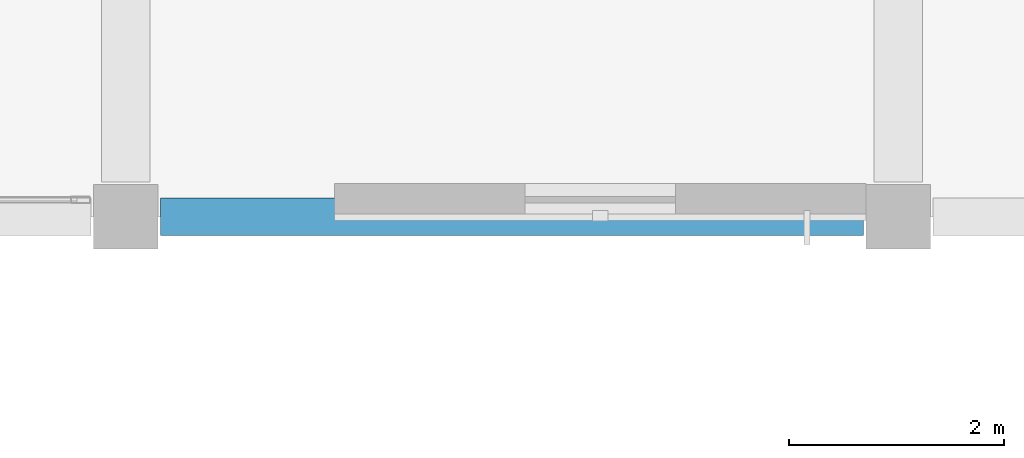
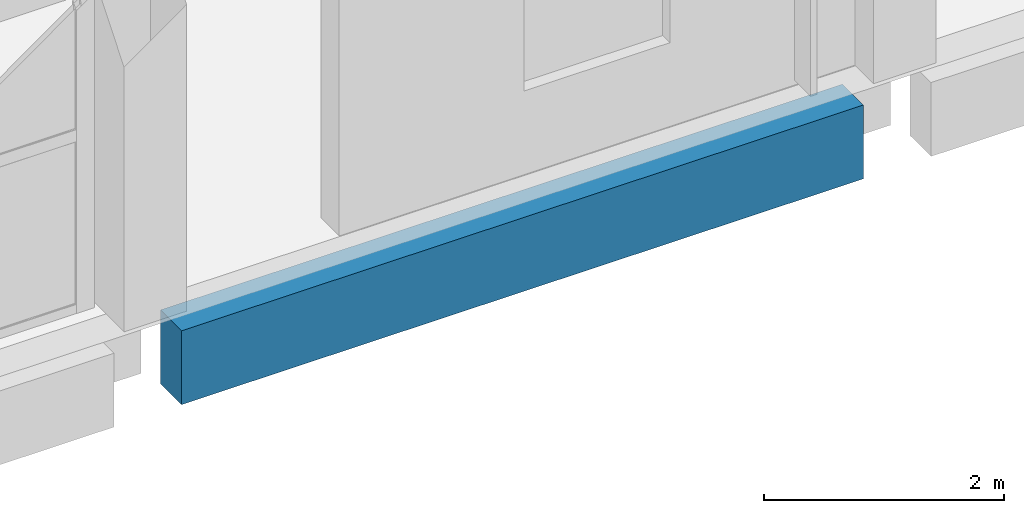
# One storey, part 55 of 123: 1 beam.
"""IFC4 building model written with IfcOpenShell, lengths in metres."""

import ifcopenshell
import ifcopenshell.guid

model = None  # the IFC model being written
_history = None  # IfcOwnerHistory: only IFC2X3 demands one
_inside = {}  # id of a spatial element -> (the spatial element, [elements in it])
_under = {}  # id of a project, library or spatial element -> (it, [spatial elements below it])
_declared = {}  # id of a project -> (the project, [libraries it declares])
_typed = {}  # id of a type object -> (the type object, [elements of that type])
_made_of = {}  # id of a material, layer set ... -> (it, [elements and type objects made of it])


def new_model(schema):
    """Start an empty IFC model of exactly this schema.

    Asked for "IFC4X3", IfcOpenShell would pick the latest addendum, in which some entities
    have other attributes; the version numbers below select the first issue.
    IFC2X3 requires an IfcOwnerHistory on every rooted entity: one is made here for all.
    """
    global model, _history
    if schema == "IFC4X3":
        model = ifcopenshell.file(schema_version=(4, 3, 0, 0))
    else:
        model = ifcopenshell.file(schema=schema)
    _inside.clear()
    _under.clear()
    _declared.clear()
    _typed.clear()
    _made_of.clear()
    _history = None
    if model.schema == "IFC2X3":
        org = make("IfcOrganization", Name="unknown")
        user = make(
            "IfcPersonAndOrganization",
            ThePerson=make("IfcPerson", FamilyName="unknown"),
            TheOrganization=org,
        )
        app = make(
            "IfcApplication",
            ApplicationDeveloper=org,
            Version="unknown",
            ApplicationFullName="unknown",
            ApplicationIdentifier="unknown",
        )
        _history = make(
            "IfcOwnerHistory",
            OwningUser=user,
            OwningApplication=app,
            ChangeAction="ADDED",
            CreationDate=0,
        )
    return model


def make(cls, **values):
    """One entity of the class cls with the attributes given. An attribute that is None is left unset."""
    return model.create_entity(
        cls, **{name: value for name, value in values.items() if value is not None}
    )


def rooted(cls, **values):
    """An entity with a GlobalId (a new one), such as an element, a storey or a relation."""
    return make(cls, GlobalId=ifcopenshell.guid.new(), OwnerHistory=_history, **values)


def si_unit(unit_type, name, prefix=None):
    """IfcSIUnit, for example si_unit("LENGTHUNIT", "METRE", prefix="MILLI")."""
    return make("IfcSIUnit", UnitType=unit_type, Prefix=prefix, Name=name)


def assignment(units):
    """IfcUnitAssignment: the units of a project."""
    return None if units is None else make("IfcUnitAssignment", Units=units)


def point(xyz):
    """IfcCartesianPoint."""
    return None if xyz is None else make("IfcCartesianPoint", Coordinates=xyz)


def direction(xyz):
    """IfcDirection."""
    return None if xyz is None else make("IfcDirection", DirectionRatios=xyz)


def frame(location, z_axis=None, x_axis=None):
    """IfcAxis2Placement3D, a coordinate frame: its origin and axes. An axis left out is left unset."""
    return make(
        "IfcAxis2Placement3D",
        Location=point(location),
        Axis=direction(z_axis),
        RefDirection=direction(x_axis),
    )


def frame_2d(location, x_axis=None):
    """IfcAxis2Placement2D, a coordinate frame in the plane: its origin and x axis."""
    return make(
        "IfcAxis2Placement2D", Location=point(location), RefDirection=direction(x_axis)
    )


def origin():
    """The frame at (0, 0, 0) with its axes left unset."""
    return frame((0.0, 0.0, 0.0))


def origin_2d():
    """The frame at (0, 0) in the plane with its x axis left unset."""
    return frame_2d((0.0, 0.0))


def place(relative_to, where):
    """IfcLocalPlacement: puts the frame where relative to a parent placement (None: the world)."""
    return make(
        "IfcLocalPlacement", PlacementRelTo=relative_to, RelativePlacement=where
    )


def context(
    kind, dimensions, precision=None, world=None, true_north=None, identifier=None
):
    """IfcGeometricRepresentationContext, for example the 3D "Model" context."""
    return make(
        "IfcGeometricRepresentationContext",
        ContextIdentifier=identifier,
        ContextType=kind,
        CoordinateSpaceDimension=dimensions,
        Precision=precision,
        WorldCoordinateSystem=world,
        TrueNorth=true_north,
    )


def subcontext(parent, identifier, kind, view, scale=None):
    """IfcGeometricRepresentationSubContext, for example "Body" below "Model"."""
    return make(
        "IfcGeometricRepresentationSubContext",
        ContextIdentifier=identifier,
        ContextType=kind,
        ParentContext=parent,
        TargetScale=scale,
        TargetView=view,
    )


def project(units=None, contexts=None):
    """IfcProject with its units and contexts."""
    return rooted(
        "IfcProject",
        Name="project",
        RepresentationContexts=contexts,
        UnitsInContext=assignment(units),
    )


def spatial(cls, under=None, at=None, **own):
    """A site, building, storey or space (cls), placed at a placement, below another one or the project."""
    s = rooted(cls, ObjectPlacement=at, **own)
    if under is not None:
        _under.setdefault(under.id(), (under, []))[1].append(s)
    return s


def profile(cls, at=None, kind="AREA", **sizes):
    """A parametric profile (cls). Its sizes go by their IFC names, for example OverallWidth=200.0."""
    return make(cls, ProfileType=kind, Position=at, **sizes)


def rectangle(**sizes):
    """IfcRectangleProfileDef."""
    return profile("IfcRectangleProfileDef", **sizes)


def extrude(swept, where, along, depth):
    """IfcExtrudedAreaSolid: the profile swept, set in the frame where, extruded along a direction by depth."""
    return make(
        "IfcExtrudedAreaSolid",
        SweptArea=swept,
        Position=where,
        ExtrudedDirection=direction(along),
        Depth=depth,
    )


def shape(context_of_items, identifier, shape_type, items):
    """IfcShapeRepresentation: the items that make up one representation, for example the "Body"."""
    return make(
        "IfcShapeRepresentation",
        ContextOfItems=context_of_items,
        RepresentationIdentifier=identifier,
        RepresentationType=shape_type,
        Items=items,
    )


def material(Name=None, Category=None):
    """IfcMaterial."""
    return make("IfcMaterial", Name=Name, Category=Category)


def material_profile(
    of_material, cross_section, Name=None, Category=None, Priority=None
):
    """IfcMaterialProfile: a cross section and its material."""
    return make(
        "IfcMaterialProfile",
        Name=Name,
        Material=of_material,
        Profile=cross_section,
        Priority=Priority,
        Category=Category,
    )


def profile_set(profiles, Name=None, composite=None):
    """IfcMaterialProfileSet."""
    return make(
        "IfcMaterialProfileSet",
        Name=Name,
        MaterialProfiles=profiles,
        CompositeProfile=composite,
    )


def made_of(thing, what):
    """Note that an element or type object is made of a material, layer set ...; save() writes the relation."""
    if what is not None:
        _made_of.setdefault(what.id(), (what, []))[1].append(thing)
    return thing


def type_object(cls, material=None, **own):
    """A type object (cls), such as IfcWallType, which elements share."""
    return made_of(rooted(cls, **own), material)


def element(
    cls,
    number,
    at=None,
    inside=None,
    cuts=None,
    type_object=None,
    material=None,
    context=None,
    identifier="Body",
    shape_type=None,
    held_by="IfcProductDefinitionShape",
    body=None,
    shapes=None,
    **own,
):
    """One element of the class cls, such as IfcWall. Its Tag is "e" and its number.

    at: its placement. inside: the storey or other place that contains it. cuts: it is an
    opening in that element (IfcRelVoidsElement). A single representation is given by context,
    identifier, shape_type and body (its items); several are given by shapes. held_by: the class
    of the entity that holds the representations. save() writes the other relations.
    """
    e = rooted(cls, Tag="e%d" % number, ObjectPlacement=at, **own)
    if body is not None:
        shapes = [shape(context, identifier, shape_type, body)]
    if shapes is not None:
        e.Representation = make(held_by, Representations=shapes)
    if inside is not None:
        _inside.setdefault(inside.id(), (inside, []))[1].append(e)
    if cuts is not None:
        rooted(
            "IfcRelVoidsElement", RelatingBuildingElement=cuts, RelatedOpeningElement=e
        )
    if type_object is not None:
        _typed.setdefault(type_object.id(), (type_object, []))[1].append(e)
    return made_of(e, material)


def aggregate(whole, parts):
    """IfcRelAggregates: a whole, such as a stair, and the parts it consists of."""
    return rooted("IfcRelAggregates", RelatingObject=whole, RelatedObjects=parts)


def save(model, path):
    """Write the relations noted so far, then the file.

    IfcRelAggregates (storeys below a building ...), IfcRelContainedInSpatialStructure (elements
    in a storey), IfcRelDefinesByType, IfcRelAssociatesMaterial and IfcRelDeclares: one each for
    every whole, place, type object, material and project.
    """
    for whole, parts in _under.values():
        aggregate(whole, parts)
    for where, things in _inside.values():
        rooted(
            "IfcRelContainedInSpatialStructure",
            RelatedElements=things,
            RelatingStructure=where,
        )
    for kind, things in _typed.values():
        rooted("IfcRelDefinesByType", RelatedObjects=things, RelatingType=kind)
    for what, things in _made_of.values():
        rooted("IfcRelAssociatesMaterial", RelatedObjects=things, RelatingMaterial=what)
    for by, libraries in _declared.values():
        rooted("IfcRelDeclares", RelatingContext=by, RelatedDefinitions=libraries)
    model.write(path)


model = new_model("IFC4")

# Units and contexts
model_context = context("Model", 3, precision=1e-05, world=origin(), true_north=direction((0.0, 1.0)))
body_context = subcontext(model_context, "Body", "Model", "MODEL_VIEW")
ifc_project = project(units=[si_unit("LENGTHUNIT", "METRE"), si_unit("AREAUNIT", "SQUARE_METRE"), si_unit("VOLUMEUNIT", "CUBIC_METRE"), si_unit("PLANEANGLEUNIT", "RADIAN"), si_unit("MASSUNIT", "GRAM", prefix="KILO")], contexts=[model_context])

# Site, building, storey
site_placement = place(None, origin())
site = spatial("IfcSite", under=ifc_project, at=site_placement, CompositionType="ELEMENT")
building_placement = place(site_placement, origin())
building = spatial("IfcBuilding", under=site, at=building_placement, Name="Kalmorath City Hall", CompositionType="ELEMENT")
storey_placement = place(building_placement, frame((0.0, 0.0, 10.199951171875)))
storey = spatial("IfcBuildingStorey", under=building, at=storey_placement, Name="L02", CompositionType="ELEMENT", Elevation=10.199951171875)

# Beam
ifc_material = material(Name="Precast concrete C40/50", Category="concrete")
ifc_material_profile = material_profile(ifc_material, rectangle(XDim=0.35009765625, YDim=0.75, at=origin_2d()), Name="PC-SP-350X750")
ifc_profile_set = profile_set([ifc_material_profile], Name="Precast concrete C40/50")
beam_type = type_object("IfcBeamType", Name="Precast spandrel lintel 350x750", PredefinedType="LINTEL", material=ifc_profile_set)
beam_placement = place(storey_placement, frame((108.324951171875, 93.60009765625, -0.658935546875), z_axis=(1.0, 0.0, 0.0), x_axis=(0.0, 1.0, 0.0)))
element("IfcBeam", 1, at=beam_placement, inside=storey, type_object=beam_type, Name="L02 girder PSB1 X16-17/14", PredefinedType="LINTEL", context=body_context, shape_type="SweptSolid", body=[
    extrude(rectangle(XDim=0.35009765625, YDim=0.75, at=origin_2d()), origin(), (0.0, 0.0, 1.0), 6.550048828125),
])

save(model, "model.ifc")
